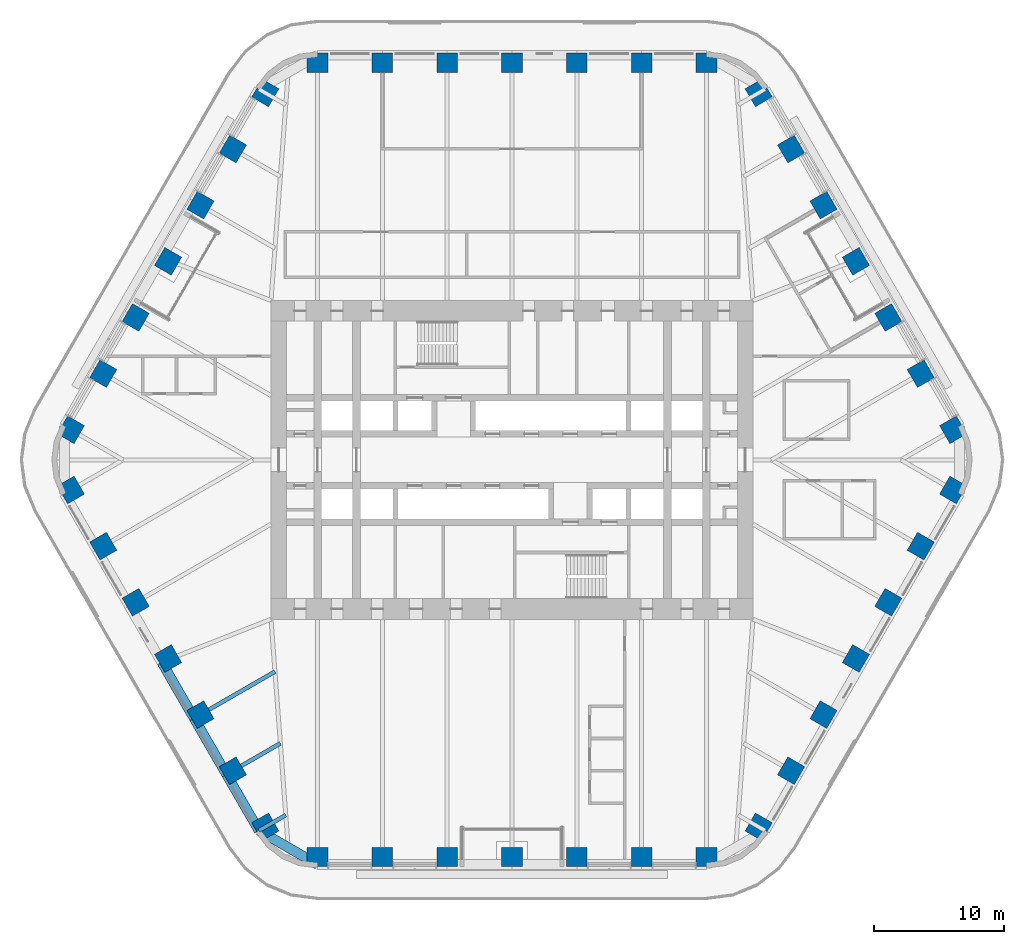
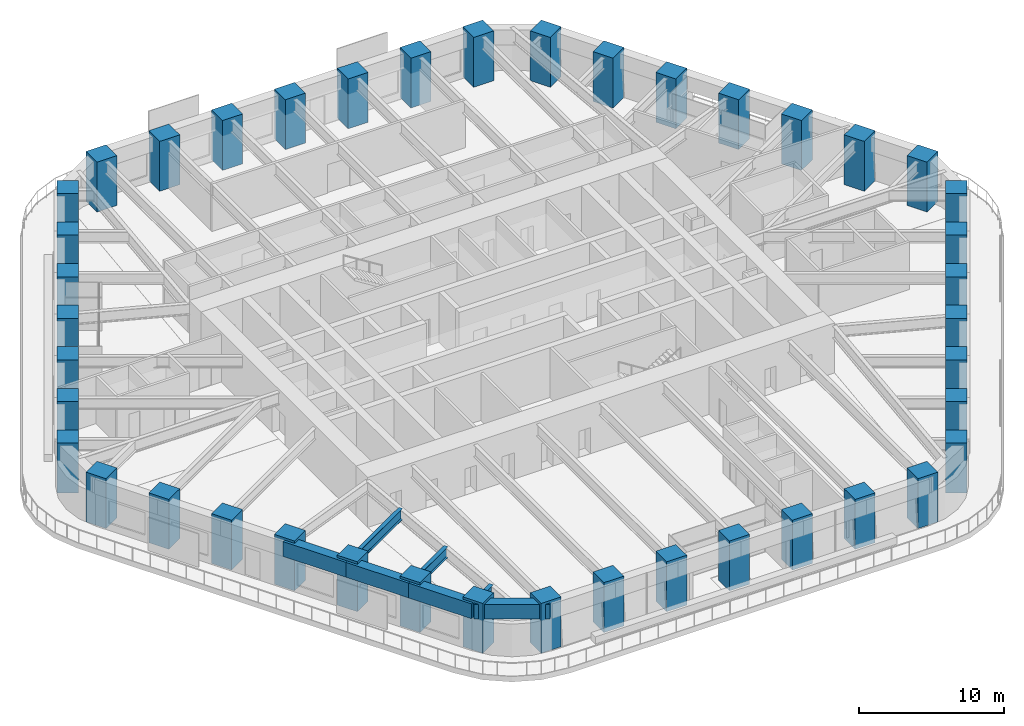
# One storey, part 1 of 24: 42 columns, 7 beams.
"""IFC4 building model written with IfcOpenShell, lengths in metres."""

from ifc_helpers import new_model, si_unit, direction, frame, origin, origin_2d, place, context, subcontext, project, spatial, rectangle, i_section, extrude, material, material_profile, profile_set, type_object, element, save


model = new_model("IFC4")

# Units and contexts
model_context = context("Model", 3, precision=1e-05, world=origin(), true_north=direction((0.0, 1.0)))
body_context = subcontext(model_context, "Body", "Model", "MODEL_VIEW")
ifc_project = project(units=[si_unit("LENGTHUNIT", "METRE"), si_unit("AREAUNIT", "SQUARE_METRE"), si_unit("VOLUMEUNIT", "CUBIC_METRE"), si_unit("PLANEANGLEUNIT", "RADIAN"), si_unit("MASSUNIT", "GRAM", prefix="KILO")], contexts=[model_context])

# Site, building, storey
site_placement = place(None, origin())
site = spatial("IfcSite", under=ifc_project, at=site_placement, CompositionType="ELEMENT")
building_placement = place(site_placement, origin())
building = spatial("IfcBuilding", under=site, at=building_placement, Name="Tarfa Lantern Tower", CompositionType="ELEMENT")
storey_placement = place(building_placement, frame((0.0, 0.0, 140.5)))
storey = spatial("IfcBuildingStorey", under=building, at=storey_placement, Name="L31", CompositionType="ELEMENT", Elevation=140.5)

# Columns
ifc_material_1 = material(Name="Concrete C80/95", Category="concrete")
ifc_material_profile_1 = material_profile(ifc_material_1, rectangle(XDim=1.60009765625, YDim=1.5, at=origin_2d()), Name="RC 1600x1500")
ifc_profile_set_1 = profile_set([ifc_material_profile_1], Name="Concrete C80/95")
column_type = type_object("IfcColumnType", Name="TC6 RC 1600x1500", PredefinedType="COLUMN", material=ifc_profile_set_1)
for number, where, z_axis, x_axis, name in (
    (1, (34.04931640625, 2.324951171875, 0.0), (0.0, 0.0, 1.0), (-0.5, 0.866025403784, 0.0), "Tube column NE0"),
    (2, (31.54736328125, 6.658447265625, 0.0), (0.0, 0.0, 1.0), (-0.5, 0.866025403784, 0.0), "Tube column NE1"),
    (3, (29.04541015625, 10.99169921875, 0.0), (0.0, 0.0, 1.0), (-0.5, 0.866025403784, 0.0), "Tube column NE2"),
    (4, (26.543701171875, 15.324951171875, 0.0), (0.0, 0.0, 1.0), (-0.5, 0.866025403784, 0.0), "Tube column NE3"),
    (5, (24.041748046875, 19.658447265625, 0.0), (0.0, 0.0, 1.0), (-0.5, 0.866025403784, 0.0), "Tube column NE4"),
    (6, (21.5400390625, 23.99169921875, 0.0), (0.0, 0.0, 1.0), (-0.5, 0.866025403784, 0.0), "Tube column NE5"),
    (7, (19.0380859375, 28.324951171875, 0.0), (0.0, 0.0, 1.0), (-0.5, 0.866025403784, 0.0), "Tube column NE6"),
    (8, (15.010986328125, 30.64990234375, 0.0), (0.0, 0.0, 1.0), (-1.0, 0.0, 0.0), "Tube column N0"),
    (9, (10.00732421875, 30.64990234375, 0.0), (0.0, 0.0, 1.0), (-1.0, 0.0, 0.0), "Tube column N1"),
    (10, (5.003662109375, 30.64990234375, 0.0), (0.0, 0.0, 1.0), (-1.0, 0.0, 0.0), "Tube column N2"),
    (11, (0.0, 30.64990234375, 0.0), (0.0, 0.0, 1.0), (-1.0, 0.0, 0.0), "Tube column N3"),
    (12, (-5.003662109375, 30.64990234375, 0.0), (0.0, 0.0, 1.0), (-1.0, 0.0, 0.0), "Tube column N4"),
    (13, (-10.00732421875, 30.64990234375, 0.0), (0.0, 0.0, 1.0), (-1.0, 0.0, 0.0), "Tube column N5"),
    (14, (-15.010986328125, 30.64990234375, 0.0), (0.0, 0.0, 1.0), (-1.0, 0.0, 0.0), "Tube column N6"),
    (15, (-19.0380859375, 28.324951171875, 0.0), (0.0, 0.0, 1.0), (-0.5, -0.866025403784, 0.0), "Tube column NW0"),
    (16, (-21.5400390625, 23.99169921875, 0.0), (0.0, 0.0, 1.0), (-0.5, -0.866025403784, 0.0), "Tube column NW1"),
    (17, (-24.041748046875, 19.658447265625, 0.0), (0.0, 0.0, 1.0), (-0.5, -0.866025403784, 0.0), "Tube column NW2"),
    (18, (-26.543701171875, 15.324951171875, 0.0), (0.0, 0.0, 1.0), (-0.5, -0.866025403784, 0.0), "Tube column NW3"),
    (19, (-29.04541015625, 10.99169921875, 0.0), (0.0, 0.0, 1.0), (-0.5, -0.866025403784, 0.0), "Tube column NW4"),
    (20, (-31.54736328125, 6.658447265625, 0.0), (0.0, 0.0, 1.0), (-0.5, -0.866025403784, 0.0), "Tube column NW5"),
    (21, (-34.04931640625, 2.324951171875, 0.0), (0.0, 0.0, 1.0), (-0.5, -0.866025403784, 0.0), "Tube column NW6"),
    (22, (-34.04931640625, -2.324951171875, 0.0), (0.0, 0.0, 1.0), (0.5, -0.866025403784, 0.0), "Tube column SW0"),
    (23, (-31.54736328125, -6.658447265625, 0.0), (0.0, 0.0, 1.0), (0.5, -0.866025403784, 0.0), "Tube column SW1"),
    (24, (-29.04541015625, -10.99169921875, 0.0), (0.0, 0.0, 1.0), (0.5, -0.866025403784, 0.0), "Tube column SW2"),
    (25, (-26.543701171875, -15.324951171875, 0.0), (0.0, 0.0, 1.0), (0.5, -0.866025403784, 0.0), "Tube column SW3"),
    (26, (-24.041748046875, -19.658447265625, 0.0), (0.0, 0.0, 1.0), (0.5, -0.866025403784, 0.0), "Tube column SW4"),
    (27, (-21.5400390625, -23.99169921875, 0.0), (0.0, 0.0, 1.0), (0.5, -0.866025403784, 0.0), "Tube column SW5"),
    (28, (-19.0380859375, -28.324951171875, 0.0), (0.0, 0.0, 1.0), (0.5, -0.866025403784, 0.0), "Tube column SW6"),
    (29, (-15.010986328125, -30.64990234375, 0.0), (0.0, 0.0, 1.0), (1.0, 0.0, 0.0), "Tube column S0"),
    (30, (-10.00732421875, -30.64990234375, 0.0), (0.0, 0.0, 1.0), (1.0, 0.0, 0.0), "Tube column S1"),
    (31, (-5.003662109375, -30.64990234375, 0.0), (0.0, 0.0, 1.0), (1.0, 0.0, 0.0), "Tube column S2"),
    (32, (0.0, -30.64990234375, 0.0), (0.0, 0.0, 1.0), (1.0, 0.0, 0.0), "Tube column S3"),
    (33, (5.003662109375, -30.64990234375, 0.0), (0.0, 0.0, 1.0), (1.0, 0.0, 0.0), "Tube column S4"),
    (34, (10.00732421875, -30.64990234375, 0.0), (0.0, 0.0, 1.0), (1.0, 0.0, 0.0), "Tube column S5"),
    (35, (15.010986328125, -30.64990234375, 0.0), (0.0, 0.0, 1.0), (1.0, 0.0, 0.0), "Tube column S6"),
    (36, (19.0380859375, -28.324951171875, 0.0), (0.0, 0.0, 1.0), (0.5, 0.866025403784, 0.0), "Tube column SE0"),
    (37, (21.5400390625, -23.99169921875, 0.0), (0.0, 0.0, 1.0), (0.5, 0.866025403784, 0.0), "Tube column SE1"),
    (38, (24.041748046875, -19.658447265625, 0.0), (0.0, 0.0, 1.0), (0.5, 0.866025403784, 0.0), "Tube column SE2"),
    (39, (26.543701171875, -15.324951171875, 0.0), (0.0, 0.0, 1.0), (0.5, 0.866025403784, 0.0), "Tube column SE3"),
    (40, (29.04541015625, -10.99169921875, 0.0), (0.0, 0.0, 1.0), (0.5, 0.866025403784, 0.0), "Tube column SE4"),
    (41, (31.54736328125, -6.658447265625, 0.0), (0.0, 0.0, 1.0), (0.5, 0.866025403784, 0.0), "Tube column SE5"),
    (42, (34.04931640625, -2.324951171875, 0.0), (0.0, 0.0, 1.0), (0.5, 0.866025403784, 0.0), "Tube column SE6"),
):
    element("IfcColumn", number, at=place(storey_placement, frame(where, z_axis=z_axis, x_axis=x_axis)), inside=storey, type_object=column_type, Name=name, PredefinedType="COLUMN", context=body_context, shape_type="SweptSolid", body=[
        extrude(rectangle(XDim=1.60009765625, YDim=1.5, at=origin_2d()), origin(), (0.0, 0.0, 1.0), 4.199951171875),
    ])

# Beams
ifc_material_profile_2 = material_profile(ifc_material_1, rectangle(XDim=0.75, YDim=1.25, at=origin_2d()), Name="RC 750x1250")
ifc_profile_set_2 = profile_set([ifc_material_profile_2], Name="Concrete C80/95")
beam_type_1 = type_object("IfcBeamType", Name="EB2 RC 750x1250", PredefinedType="SPANDREL", material=ifc_profile_set_2)
for number, where, z_axis, x_axis, name in (
    (43, (-27.037353515625, -15.610107421875, 3.375), (0.500022324899, -0.866012514114, 0.0), (0.866012514114, 0.500022324899, 0.0), "Edge beam SW3"),
    (44, (-24.535400390625, -19.943359375, 3.375), (0.49998573051, -0.866033642122, 0.0), (0.866033642122, 0.49998573051, 0.0), "Edge beam SW4"),
):
    element("IfcBeam", number, at=place(storey_placement, frame(where, z_axis=z_axis, x_axis=x_axis)), inside=storey, type_object=beam_type_1, Name=name, PredefinedType="SPANDREL", context=body_context, shape_type="SweptSolid", body=[
        extrude(rectangle(XDim=0.75, YDim=1.25, at=origin_2d()), origin(), (0.0, 0.0, 1.0), 5.003662109375),
    ])
beam_1_placement = place(storey_placement, frame((-22.03369140625, -24.276611328125, 3.375), z_axis=(0.500001197378, -0.866024712477, 0.0), x_axis=(0.866024712477, 0.500001197378, 0.0)))
element("IfcBeam", 45, at=beam_1_placement, inside=storey, type_object=beam_type_1, Name="Edge beam SW5", PredefinedType="SPANDREL", context=body_context, shape_type="SweptSolid", body=[
    extrude(rectangle(XDim=0.75, YDim=1.25, at=origin_2d()), origin(), (0.0, 0.0, 1.0), 5.00390625),
])
beam_2_placement = place(storey_placement, frame((-19.53173828125, -28.610107421875, 3.375), z_axis=(0.86604150238, -0.499972115377, 0.0), x_axis=(0.499972115377, 0.86604150238, 0.0)))
element("IfcBeam", 46, at=beam_2_placement, inside=storey, type_object=beam_type_1, Name="Edge beam SW6", PredefinedType="SPANDREL", context=body_context, shape_type="SweptSolid", body=[
    extrude(rectangle(XDim=0.75, YDim=1.25, at=origin_2d()), origin(), (0.0, 0.0, 1.0), 5.219970703125),
])
ifc_material_2 = material(Name="Steel S460M", Category="steel")
ifc_material_profile_3 = material_profile(ifc_material_2, i_section(OverallWidth=0.305419921875, OverallDepth=0.91845703125, WebThickness=0.017333984375, FlangeThickness=0.02783203125, FilletRadius=0.01904296875, at=origin_2d()), Name="UB914x305x253")
ifc_profile_set_3 = profile_set([ifc_material_profile_3], Name="Steel S460M")
beam_type_2 = type_object("IfcBeamType", Name="UB914x305x253", PredefinedType="BEAM", material=ifc_profile_set_3)
beam_3_placement = place(storey_placement, frame((-24.535400390625, -19.943359375, 3.540771484375), z_axis=(0.86602647304, 0.499998147991, 0.0), x_axis=(-0.499998147991, 0.86602647304, 0.0)))
element("IfcBeam", 47, at=beam_3_placement, inside=storey, type_object=beam_type_2, Name="Floor beam SW4", PredefinedType="BEAM", context=body_context, shape_type="SweptSolid", body=[
    extrude(i_section(OverallWidth=0.305419921875, OverallDepth=0.91845703125, WebThickness=0.017333984375, FlangeThickness=0.02783203125, FilletRadius=0.01904296875, at=origin_2d()), origin(), (0.0, 0.0, 1.0), 7.20556640625),
])
beam_4_placement = place(storey_placement, frame((-22.03369140625, -24.276611328125, 3.540771484375), z_axis=(0.866030550462, 0.499991085587, 0.0), x_axis=(-0.499991085587, 0.866030550462, 0.0)))
element("IfcBeam", 48, at=beam_4_placement, inside=storey, type_object=beam_type_2, Name="Floor beam SW5", PredefinedType="BEAM", context=body_context, shape_type="SweptSolid", body=[
    extrude(i_section(OverallWidth=0.305419921875, OverallDepth=0.91845703125, WebThickness=0.017333984375, FlangeThickness=0.02783203125, FilletRadius=0.01904296875, at=origin_2d()), origin(), (0.0, 0.0, 1.0), 4.798828125),
])
beam_5_placement = place(storey_placement, frame((-19.53173828125, -28.610107421875, 3.540771484375), z_axis=(0.865998640954, 0.500046351717, 0.0), x_axis=(-0.500046351717, 0.865998640954, 0.0)))
element("IfcBeam", 49, at=beam_5_placement, inside=storey, type_object=beam_type_2, Name="Floor beam SW6", PredefinedType="BEAM", context=body_context, shape_type="SweptSolid", body=[
    extrude(i_section(OverallWidth=0.305419921875, OverallDepth=0.91845703125, WebThickness=0.017333984375, FlangeThickness=0.02783203125, FilletRadius=0.01904296875, at=origin_2d()), origin(), (0.0, 0.0, 1.0), 2.392333984375),
])

save(model, "model.ifc")
